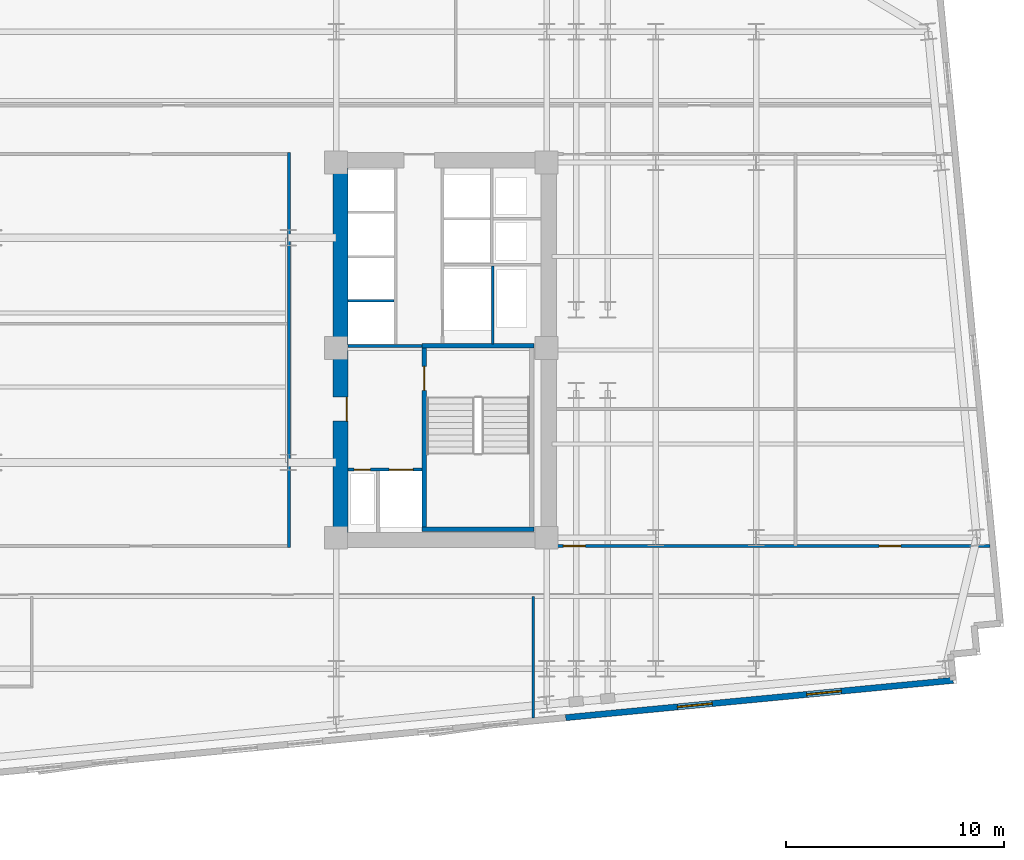
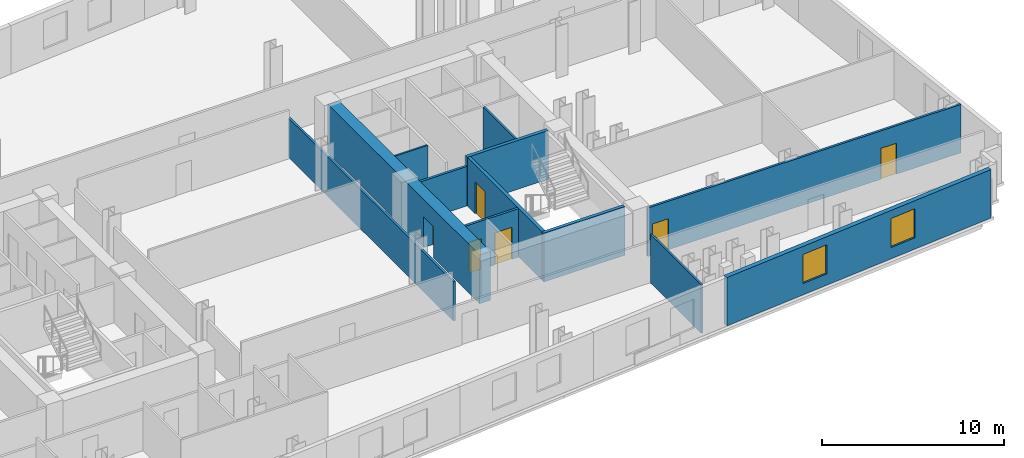
# One storey, part 6 of 10: 12 walls, 6 doors, 2 windows, 8 openings.
"""IFC4 building model written with IfcOpenShell, lengths in metres."""

from ifc_helpers import new_model, si_unit, direction, frame, frame_2d, origin, place, context, subcontext, project, spatial, rectangle, extrude, material, layer, layer_set, type_object, element, fill, save


model = new_model("IFC4")

# Units and contexts
model_context = context("Model", 3, precision=1e-05, world=origin(), true_north=direction((0.0, 1.0)))
body_context = subcontext(model_context, "Body", "Model", "MODEL_VIEW")
ifc_project = project(units=[si_unit("LENGTHUNIT", "METRE"), si_unit("AREAUNIT", "SQUARE_METRE"), si_unit("VOLUMEUNIT", "CUBIC_METRE"), si_unit("PLANEANGLEUNIT", "RADIAN"), si_unit("MASSUNIT", "GRAM", prefix="KILO")], contexts=[model_context])

# Site, building, storey
site_placement = place(None, origin())
site = spatial("IfcSite", under=ifc_project, at=site_placement, CompositionType="ELEMENT")
building_placement = place(site_placement, origin())
building = spatial("IfcBuilding", under=site, at=building_placement, Name="Velakula Bourse", CompositionType="ELEMENT")
storey_placement = place(building_placement, frame((0.0, 0.0, 77.64990234375)))
storey = spatial("IfcBuildingStorey", under=building, at=storey_placement, Name="L20", CompositionType="ELEMENT", Elevation=77.64990234375)

# Wall, opening, door
ifc_material_1 = material(Name="Concrete M50 (fck 50 MPa)", Category="concrete")
ifc_layer_1 = layer(ifc_material_1, 0.2099609375, Name="Concrete M50 (fck 50 MPa)", Category="concrete")
ifc_layer_set_1 = layer_set([ifc_layer_1], Name="Concrete M50 (fck 50 MPa)")
wall_type_1 = type_object("IfcWallType", Name="WL-CORE-210", PredefinedType="SHEAR", material=ifc_layer_set_1)
wall_1_placement = place(storey_placement, frame((12.9951171875, -8.10009765625, 0.0), z_axis=(0.0, 0.0, 1.0), x_axis=(0.0, 1.0, 0.0)))
wall_1 = element("IfcWall", 1, at=wall_1_placement, inside=storey, type_object=wall_type_1, Name="L20 Core E Stairwell Shear Wall IN", PredefinedType="SHEAR", context=body_context, shape_type="SweptSolid", body=[
    extrude(rectangle(XDim=8.2001953125, YDim=0.2099609375, at=frame_2d((4.10009765625, 0.0))), origin(), (0.0, 0.0, 1.0), 3.27001953125),
])
opening_1_placement = place(wall_1_placement, frame((6.25, 0.0, 0.0)))
opening_1 = element("IfcOpeningElement", 2, at=opening_1_placement, cuts=wall_1, Name="Opening D-STE1", PredefinedType="OPENING", context=body_context, shape_type="SweptSolid", body=[
    extrude(rectangle(XDim=1.10009765625, YDim=2.14990234375, at=frame_2d((0.550048828125, 1.074951171875))), frame((0.0, 0.114990234375, 0.0), z_axis=(0.0, -1.0, 0.0), x_axis=(1.0, 0.0, 0.0)), (0.0, 0.0, 1.0), 0.22998046875),
])
ifc_material_2 = material(Name="Galvanised painted hollow steel fire door", Category="steel")
door_type_1 = type_object("IfcDoorType", Name="DR-FD120-1100x2150", OperationType="NOTDEFINED", PredefinedType="DOOR", material=ifc_material_2)
door_1_placement = place(opening_1_placement, origin())
door_1 = element("IfcDoor", 3, at=door_1_placement, inside=storey, type_object=door_type_1, Name="L20 Stair ST-E1 Fire Door", OperationType="SINGLE_SWING_RIGHT", OverallHeight=2.14990234375, OverallWidth=1.10009765625, PredefinedType="DOOR", context=body_context, shape_type="SweptSolid", body=[
    extrude(rectangle(XDim=1.10009765625, YDim=2.14990234375, at=frame_2d((0.550048828125, 1.074951171875))), frame((0.0, 0.02490234375, 0.0), z_axis=(0.0, -1.0, 0.0), x_axis=(1.0, 0.0, 0.0)), (0.0, 0.0, 1.0), 0.050048828125),
])
fill(opening_1, door_1)

# Walls
for number, where, z_axis, x_axis, name in (
    (4, (12.889892578125, -8.205078125, 0.0), (0.0, 0.0, 1.0), (1.0, 0.0, 0.0), "L20 Core E Stairwell Shear Wall S"),
    (5, (18.030029296875, 0.205078125, 0.0), (0.0, 0.0, 1.0), (-1.0, 0.0, 0.0), "L20 Core E Stairwell Shear Wall N"),
):
    element("IfcWall", number, at=place(storey_placement, frame(where, z_axis=z_axis, x_axis=x_axis)), inside=storey, type_object=wall_type_1, Name=name, PredefinedType="SHEAR", context=body_context, shape_type="SweptSolid", body=[
        extrude(rectangle(XDim=5.14013671875, YDim=0.2099609375, at=frame_2d((2.570068359375, 0.0))), origin(), (0.0, 0.0, 1.0), 3.27001953125),
    ])

# Wall, opening, door
ifc_material_3 = material(Name="Concrete M70 (fck 70 MPa)", Category="concrete")
ifc_layer_2 = layer(ifc_material_3, 0.699951171875, Name="Concrete M70 (fck 70 MPa)", Category="concrete")
ifc_layer_set_2 = layer_set([ifc_layer_2], Name="Concrete M70 (fck 70 MPa)")
wall_type_2 = type_object("IfcWallType", Name="WL-CORE-700", PredefinedType="SHEAR", material=ifc_layer_set_2)
wall_2_placement = place(storey_placement, frame((9.14990234375, -8.35009765625, 0.0), z_axis=(0.0, 0.0, 1.0), x_axis=(0.0, 1.0, 0.0)))
wall_2 = element("IfcWall", 6, at=wall_2_placement, inside=storey, type_object=wall_type_2, Name="L20 Core E Shear Wall W", PredefinedType="SHEAR", context=body_context, shape_type="SweptSolid", body=[
    extrude(rectangle(XDim=16.7001953125, YDim=0.699951171875, at=frame_2d((8.35009765625, 0.0))), origin(), (0.0, 0.0, 1.0), 3.27001953125),
])
opening_2_placement = place(wall_2_placement, frame((5.10009765625, 0.0, 0.0)))
opening_2 = element("IfcOpeningElement", 7, at=opening_2_placement, cuts=wall_2, Name="Opening D-FLE", PredefinedType="OPENING", context=body_context, shape_type="SweptSolid", body=[
    extrude(rectangle(XDim=1.10009765625, YDim=2.080078125, at=frame_2d((0.550048828125, 1.0400390625))), frame((0.0, 0.35986328125, 0.0), z_axis=(0.0, -1.0, 0.0), x_axis=(1.0, 0.0, 0.0)), (0.0, 0.0, 1.0), 0.719970703125),
])
door_type_2 = type_object("IfcDoorType", Name="DR-FD120-1100", OperationType="NOTDEFINED", PredefinedType="DOOR", material=ifc_material_2)
door_2_placement = place(opening_2_placement, origin())
door_2 = element("IfcDoor", 8, at=door_2_placement, inside=storey, type_object=door_type_2, Name="L20 Firefighting Lobby E Corridor Fire Door", OperationType="SINGLE_SWING_RIGHT", OverallHeight=2.080078125, OverallWidth=1.10009765625, PredefinedType="DOOR", context=body_context, shape_type="SweptSolid", body=[
    extrude(rectangle(XDim=1.10009765625, YDim=2.080078125, at=frame_2d((0.550048828125, 1.0400390625))), frame((0.0, -0.2548828125, 0.0), z_axis=(0.0, -1.0, 0.0), x_axis=(1.0, 0.0, 0.0)), (0.0, 0.0, 1.0), 0.050048828125),
])
fill(opening_2, door_2)

# Wall, openings, windows
ifc_material_4 = material(Name="Red kilned clay facing brick masonry", Category="masonry")
ifc_layer_3 = layer(ifc_material_4, 0.280029296875, Name="Red kilned clay facing brick masonry", Category="masonry")
ifc_layer_set_3 = layer_set([ifc_layer_3], Name="Red kilned clay facing brick masonry")
wall_type_3 = type_object("IfcWallType", Name="WL-EXT-BRK-280", PredefinedType="STANDARD", material=ifc_layer_set_3)
wall_3_placement = place(storey_placement, frame((37.2314453125, -15.138427734375, 0.0), z_axis=(0.0, 0.0, 1.0), x_axis=(-0.995395780835, -0.095850088663, 0.0)))
wall_3 = element("IfcWall", 9, at=wall_3_placement, inside=storey, type_object=wall_type_3, Name="L20 S Brick Spandrel Wall B5", PredefinedType="STANDARD", context=body_context, shape_type="SweptSolid", body=[
    extrude(rectangle(XDim=17.83984375, YDim=0.280029296875, at=frame_2d((8.919921875, 0.0))), origin(), (0.0, 0.0, 1.0), 3.25),
])
opening_3_placement = place(wall_3_placement, frame((5.146728515625, 0.0, 0.760009765625)))
opening_3 = element("IfcOpeningElement", 10, at=opening_3_placement, cuts=wall_3, Name="Opening W-02", PredefinedType="OPENING", context=body_context, shape_type="SweptSolid", body=[
    extrude(rectangle(XDim=1.60009765625, YDim=1.949951171875, at=frame_2d((0.800048828125, 0.97509765625))), frame((0.0, 0.14990234375, 0.0), z_axis=(0.0, -1.0, 0.0), x_axis=(1.0, 0.0, 0.0)), (0.0, 0.0, 1.0), 0.300048828125),
])
opening_4_placement = place(wall_3_placement, frame((11.09326171875, 0.0, 0.760009765625)))
opening_4 = element("IfcOpeningElement", 11, at=opening_4_placement, cuts=wall_3, Name="Opening W-02", PredefinedType="OPENING", context=body_context, shape_type="SweptSolid", body=[
    extrude(rectangle(XDim=1.60009765625, YDim=1.949951171875, at=frame_2d((0.800048828125, 0.97509765625))), frame((0.0, 0.14990234375, 0.0), z_axis=(0.0, -1.0, 0.0), x_axis=(1.0, 0.0, 0.0)), (0.0, 0.0, 1.0), 0.300048828125),
])
ifc_material_5 = material(Name="Double-glazed solar-control Low-E glass", Category="glass")
window_type = type_object("IfcWindowType", Name="WIN-TWR-1600x2100", PartitioningType="SINGLE_PANEL", PredefinedType="WINDOW", material=ifc_material_5)
window_1_placement = place(opening_3_placement, origin())
window_1 = element("IfcWindow", 12, at=window_1_placement, inside=storey, type_object=window_type, Name="L20 Deep-Set Recessed Window 1", OverallHeight=1.949951171875, OverallWidth=1.60009765625, PartitioningType="SINGLE_PANEL", PredefinedType="WINDOW", context=body_context, shape_type="SweptSolid", body=[
    extrude(rectangle(XDim=1.60009765625, YDim=1.949951171875, at=frame_2d((0.800048828125, 0.97509765625))), frame((0.0, 0.030029296875, 0.0), z_axis=(0.0, -1.0, 0.0), x_axis=(1.0, 0.0, 0.0)), (0.0, 0.0, 1.0), 0.06005859375),
])
fill(opening_3, window_1)
window_2_placement = place(opening_4_placement, origin())
window_2 = element("IfcWindow", 13, at=window_2_placement, inside=storey, type_object=window_type, Name="L20 Deep-Set Recessed Window 2", OverallHeight=1.949951171875, OverallWidth=1.60009765625, PartitioningType="SINGLE_PANEL", PredefinedType="WINDOW", context=body_context, shape_type="SweptSolid", body=[
    extrude(rectangle(XDim=1.60009765625, YDim=1.949951171875, at=frame_2d((0.800048828125, 0.97509765625))), frame((0.0, 0.030029296875, 0.0), z_axis=(0.0, -1.0, 0.0), x_axis=(1.0, 0.0, 0.0)), (0.0, 0.0, 1.0), 0.06005859375),
])
fill(opening_4, window_2)

# Walls
ifc_material_6 = material(Name="Fire-rated double-layer gypsum drywall partition", Category="gypsum")
ifc_layer_4 = layer(ifc_material_6, 0.1201171875, Name="Fire-rated double-layer gypsum drywall partition", Category="gypsum")
ifc_layer_set_4 = layer_set([ifc_layer_4], Name="Fire-rated double-layer gypsum drywall partition")
wall_type_4 = type_object("IfcWallType", Name="WL-PART-120", PredefinedType="STANDARD", material=ifc_layer_set_4)
wall_4_placement = place(storey_placement, frame((9.5, 2.2548828125, 0.0), z_axis=(0.0, 0.0, 1.0), x_axis=(1.0, 0.0, 0.0)))
element("IfcWall", 14, at=wall_4_placement, inside=storey, type_object=wall_type_4, Name="L20 Interior Partition WL-CRE-L20-BDIV-0", PredefinedType="STANDARD", context=body_context, shape_type="SweptSolid", body=[
    extrude(rectangle(XDim=2.10009765625, YDim=0.110107421875, at=frame_2d((1.050048828125, 0.0))), origin(), (0.0, 0.0, 1.0), 3.25),
])
wall_5_placement = place(storey_placement, frame((16.125, 0.27001953125, 0.0), z_axis=(0.0, 0.0, 1.0), x_axis=(0.0, 1.0, 0.0)))
element("IfcWall", 15, at=wall_5_placement, inside=storey, type_object=wall_type_4, Name="L20 Interior Partition WL-CRE-L20-SVL-E", PredefinedType="STANDARD", context=body_context, shape_type="SweptSolid", body=[
    extrude(rectangle(XDim=3.590087890625, YDim=0.1201171875, at=frame_2d((1.794921875, 0.0))), origin(), (0.0, 0.0, 1.0), 3.25),
])
wall_6_placement = place(storey_placement, frame((17.98095703125, -16.87158203125, 0.0), z_axis=(0.0, 0.0, 1.0), x_axis=(0.0, 1.0, 0.0)))
element("IfcWall", 16, at=wall_6_placement, inside=storey, type_object=wall_type_4, Name="L20 Interior Partition WL-INT-L20-SR-D6", PredefinedType="STANDARD", context=body_context, shape_type="SweptSolid", body=[
    extrude(rectangle(XDim=5.58154296875, YDim=0.1201171875, at=frame_2d((2.790771484375, 0.0))), origin(), (0.0, 0.0, 1.0), 3.25),
])

# Wall, openings, doors
ifc_layer_5 = layer(ifc_material_6, 0.139892578125, Name="Fire-rated double-layer gypsum drywall partition", Category="gypsum")
ifc_layer_set_5 = layer_set([ifc_layer_5], Name="Fire-rated double-layer gypsum drywall partition")
wall_type_5 = type_object("IfcWallType", Name="WL-PART-140", PredefinedType="STANDARD", material=ifc_layer_set_5)
wall_7_placement = place(storey_placement, frame((19.050048828125, -8.97998046875, 0.0), z_axis=(0.0, 0.0, 1.0), x_axis=(1.0, 0.0, 0.0)))
wall_7 = element("IfcWall", 17, at=wall_7_placement, inside=storey, type_object=wall_type_5, Name="L20 Interior Partition WL-INT-L20-E-SC", PredefinedType="STANDARD", context=body_context, shape_type="SweptSolid", body=[
    extrude(rectangle(XDim=19.87890625, YDim=0.139892578125, at=frame_2d((9.939453125, 0.0))), origin(), (0.0, 0.0, 1.0), 3.25),
])
opening_5_placement = place(wall_7_placement, frame((0.320068359375, 0.0, 0.0)))
opening_5 = element("IfcOpeningElement", 18, at=opening_5_placement, cuts=wall_7, Name="Opening D-OF1", PredefinedType="OPENING", context=body_context, shape_type="SweptSolid", body=[
    extrude(rectangle(XDim=1.0, YDim=2.080078125, at=frame_2d((0.5, 1.0400390625))), frame((0.0, 0.079833984375, 0.0), z_axis=(0.0, -1.0, 0.0), x_axis=(1.0, 0.0, 0.0)), (0.0, 0.0, 1.0), 0.159912109375),
])
opening_6_placement = place(wall_7_placement, frame((14.7890625, 0.0, 0.0)))
opening_6 = element("IfcOpeningElement", 19, at=opening_6_placement, cuts=wall_7, Name="Opening D-OF1", PredefinedType="OPENING", context=body_context, shape_type="SweptSolid", body=[
    extrude(rectangle(XDim=1.0, YDim=2.080078125, at=frame_2d((0.5, 1.0400390625))), frame((0.0, 0.079833984375, 0.0), z_axis=(0.0, -1.0, 0.0), x_axis=(1.0, 0.0, 0.0)), (0.0, 0.0, 1.0), 0.159912109375),
])
ifc_material_7 = material(Name="Fire-rated hardwood flush architectural door", Category="wood")
door_type_3 = type_object("IfcDoorType", Name="DR-OFF-1000", OperationType="NOTDEFINED", PredefinedType="DOOR", material=ifc_material_7)
door_3_placement = place(opening_5_placement, origin())
door_3 = element("IfcDoor", 20, at=door_3_placement, inside=storey, type_object=door_type_3, Name="L20 Broadcast Control Office Door", OperationType="SINGLE_SWING_LEFT", OverallHeight=2.080078125, OverallWidth=1.0, PredefinedType="DOOR", context=body_context, shape_type="SweptSolid", body=[
    extrude(rectangle(XDim=1.0, YDim=2.080078125, at=frame_2d((0.5, 1.0400390625))), frame((0.0, 0.02490234375, 0.0), z_axis=(0.0, -1.0, 0.0), x_axis=(1.0, 0.0, 0.0)), (0.0, 0.0, 1.0), 0.050048828125),
])
fill(opening_5, door_3)
door_4_placement = place(opening_6_placement, origin())
door_4 = element("IfcDoor", 21, at=door_4_placement, inside=storey, type_object=door_type_3, Name="L20 Yield Curve Seminar Room Door", OperationType="SINGLE_SWING_RIGHT", OverallHeight=2.080078125, OverallWidth=1.0, PredefinedType="DOOR", context=body_context, shape_type="SweptSolid", body=[
    extrude(rectangle(XDim=1.0, YDim=2.080078125, at=frame_2d((0.5, 1.0400390625))), frame((0.0, 0.02490234375, 0.0), z_axis=(0.0, -1.0, 0.0), x_axis=(1.0, 0.0, 0.0)), (0.0, 0.0, 1.0), 0.050048828125),
])
fill(opening_6, door_4)

# Wall
wall_8_placement = place(storey_placement, frame((6.780029296875, -9.050048828125, 0.0), z_axis=(0.0, 0.0, 1.0), x_axis=(0.0, 1.0, 0.0)))
element("IfcWall", 22, at=wall_8_placement, inside=storey, type_object=wall_type_5, Name="L20 Interior Partition WL-INT-L20-MID-E", PredefinedType="STANDARD", context=body_context, shape_type="SweptSolid", body=[
    extrude(rectangle(XDim=18.10009765625, YDim=0.139892578125, at=frame_2d((9.050048828125, 0.0))), origin(), (0.0, 0.0, 1.0), 2.64501953125),
])

# Wall, openings, doors
ifc_material_8 = material(Name="Autoclaved aerated concrete blockwork masonry", Category="masonry")
ifc_layer_6 = layer(ifc_material_8, 0.14990234375, Name="Autoclaved aerated concrete blockwork masonry", Category="masonry")
ifc_layer_set_6 = layer_set([ifc_layer_6], Name="Autoclaved aerated concrete blockwork masonry")
wall_type_6 = type_object("IfcWallType", Name="WL-SHAFT-150", PredefinedType="STANDARD", material=ifc_layer_set_6)
wall_9_placement = place(storey_placement, frame((9.5, -5.47509765625, 0.0), z_axis=(0.0, 0.0, 1.0), x_axis=(1.0, 0.0, 0.0)))
wall_9 = element("IfcWall", 23, at=wall_9_placement, inside=storey, type_object=wall_type_6, Name="L20 Interior Partition WL-CRE-L20-FFL-N", PredefinedType="STANDARD", context=body_context, shape_type="SweptSolid", body=[
    extrude(rectangle(XDim=3.39501953125, YDim=0.14990234375, at=frame_2d((1.697509765625, 0.0))), origin(), (0.0, 0.0, 1.0), 3.25),
])
opening_7_placement = place(wall_9_placement, frame((1.875, 0.0, 0.0)))
opening_7 = element("IfcOpeningElement", 24, at=opening_7_placement, cuts=wall_9, Name="Opening LD-FFL-2", PredefinedType="OPENING", context=body_context, shape_type="SweptSolid", body=[
    extrude(rectangle(XDim=1.10009765625, YDim=2.14990234375, at=frame_2d((0.550048828125, 1.074951171875))), frame((0.0, 0.0849609375, 0.0), z_axis=(0.0, -1.0, 0.0), x_axis=(1.0, 0.0, 0.0)), (0.0, 0.0, 1.0), 0.169921875),
])
opening_8_placement = place(wall_9_placement, frame((0.27490234375, 0.0, 0.0)))
opening_8 = element("IfcOpeningElement", 25, at=opening_8_placement, cuts=wall_9, Name="Opening D-RS1", PredefinedType="OPENING", context=body_context, shape_type="SweptSolid", body=[
    extrude(rectangle(XDim=0.75, YDim=2.050048828125, at=frame_2d((0.375, 1.02490234375))), frame((0.0, 0.0849609375, 0.0), z_axis=(0.0, -1.0, 0.0), x_axis=(1.0, 0.0, 0.0)), (0.0, 0.0, 1.0), 0.169921875),
])
door_type_4 = type_object("IfcDoorType", Name="DR-RISER-800", OperationType="NOTDEFINED", PredefinedType="DOOR", material=ifc_material_2)
door_5_placement = place(opening_8_placement, origin())
door_5 = element("IfcDoor", 26, at=door_5_placement, inside=storey, type_object=door_type_4, Name="L20 Fire Riser Access Door", OperationType="SINGLE_SWING_LEFT", OverallHeight=2.050048828125, OverallWidth=0.75, PredefinedType="DOOR", context=body_context, shape_type="SweptSolid", body=[
    extrude(rectangle(XDim=0.75, YDim=2.050048828125, at=frame_2d((0.375, 1.02490234375))), frame((0.0, 0.02490234375, 0.0), z_axis=(0.0, -1.0, 0.0), x_axis=(1.0, 0.0, 0.0)), (0.0, 0.0, 1.0), 0.050048828125),
])
fill(opening_8, door_5)
ifc_material_9 = material(Name="Brushed grade 316 stainless steel", Category="steel")
door_type_5 = type_object("IfcDoorType", Name="DR-SLIDE-FFL-1100", OperationType="DOUBLE_DOOR_SLIDING", PredefinedType="DOOR", material=ifc_material_9)
door_6_placement = place(opening_7_placement, origin())
door_6 = element("IfcDoor", 27, at=door_6_placement, inside=storey, type_object=door_type_5, Name="L20 Firefighting Lift FFL-2 Sliding Landing Door", OperationType="DOUBLE_DOOR_SLIDING", OverallHeight=2.14990234375, OverallWidth=1.10009765625, PredefinedType="DOOR", context=body_context, shape_type="SweptSolid", body=[
    extrude(rectangle(XDim=1.10009765625, YDim=2.14990234375, at=frame_2d((0.550048828125, 1.074951171875))), frame((0.0, 0.02490234375, 0.0), z_axis=(0.0, -1.0, 0.0), x_axis=(1.0, 0.0, 0.0)), (0.0, 0.0, 1.0), 0.050048828125),
])
fill(opening_7, door_6)

# Wall
wall_10_placement = place(storey_placement, frame((9.5, 0.18994140625, 0.0), z_axis=(0.0, 0.0, 1.0), x_axis=(1.0, 0.0, 0.0)))
element("IfcWall", 28, at=wall_10_placement, inside=storey, type_object=wall_type_6, Name="L20 Interior Partition WL-CRE-L20-FF-TOP", PredefinedType="STANDARD", context=body_context, shape_type="SweptSolid", body=[
    extrude(rectangle(XDim=3.389892578125, YDim=0.14990234375, at=frame_2d((1.69482421875, 0.0))), origin(), (0.0, 0.0, 1.0), 2.64501953125),
])

save(model, "model.ifc")
